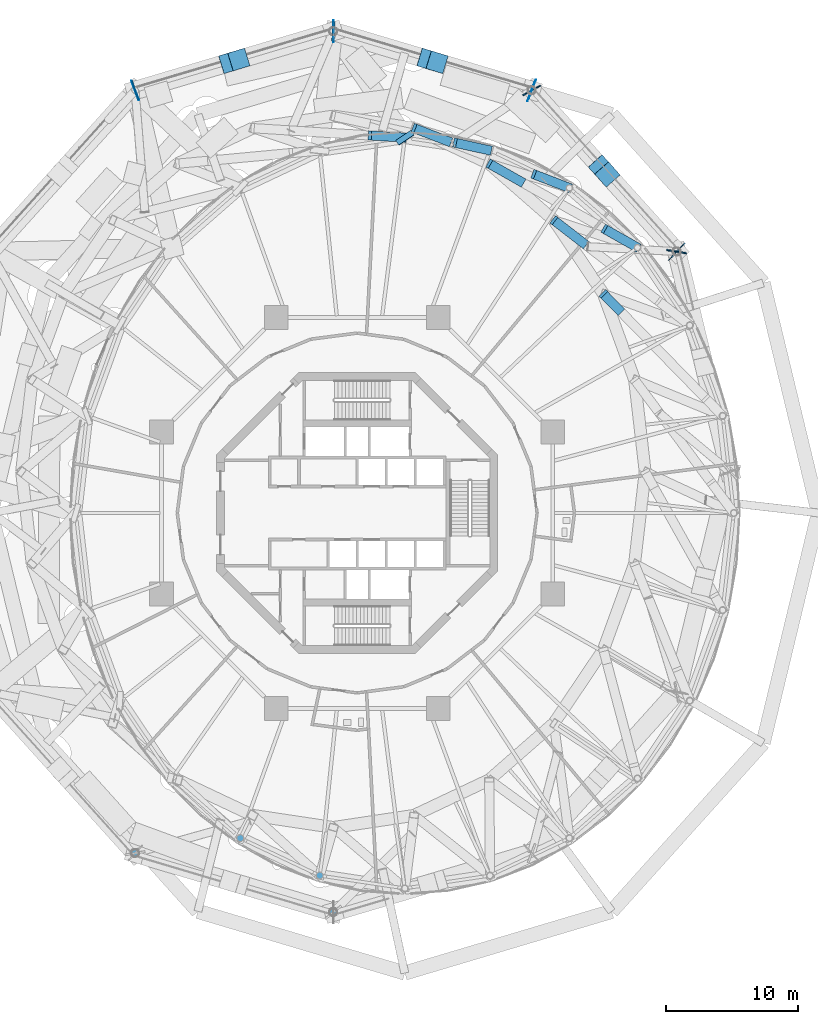
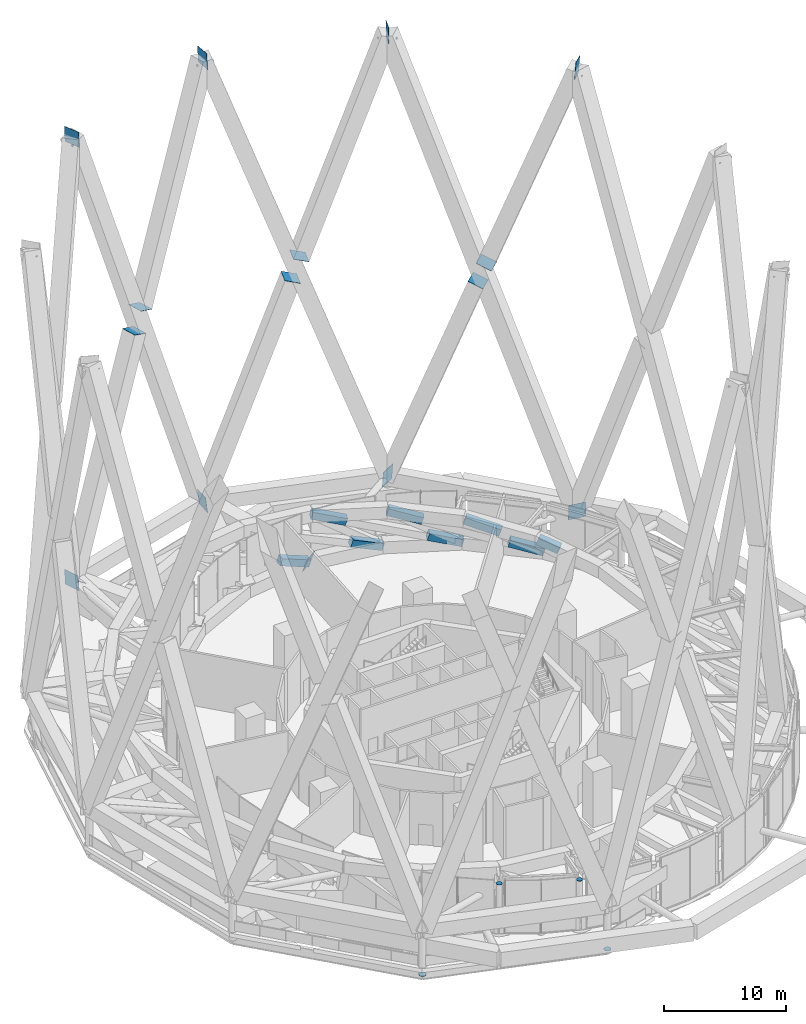
# One storey, part 53 of 60: 27 discrete accessories.
"""IFC4 building model written with IfcOpenShell, lengths in metres."""

from ifc_helpers import new_model, si_unit, direction, frame, origin, origin_2d, place, context, subcontext, project, spatial, rectangle, circle, extrude, material, layer, layer_set, type_object, element, save


model = new_model("IFC4")

# Units and contexts
model_context = context("Model", 3, precision=1e-05, world=origin(), true_north=direction((0.0, 1.0)))
body_context = subcontext(model_context, "Body", "Model", "MODEL_VIEW")
ifc_project = project(units=[si_unit("LENGTHUNIT", "METRE"), si_unit("AREAUNIT", "SQUARE_METRE"), si_unit("VOLUMEUNIT", "CUBIC_METRE"), si_unit("PLANEANGLEUNIT", "RADIAN"), si_unit("MASSUNIT", "GRAM", prefix="KILO")], contexts=[model_context])

# Site, building, storey
site_placement = place(None, origin())
site = spatial("IfcSite", under=ifc_project, at=site_placement, CompositionType="ELEMENT")
building_placement = place(site_placement, origin())
building = spatial("IfcBuilding", under=site, at=building_placement, Name="Nagisa Residences", CompositionType="ELEMENT")
storey_placement = place(building_placement, frame((0.0, 0.0, 206.60009765625)))
storey = spatial("IfcBuildingStorey", under=building, at=storey_placement, Name="L52", CompositionType="ELEMENT", Elevation=206.60009765625)

# Discrete accessories
ifc_material_1 = material(Name="Steel ASTM A572 Gr 50", Category="steel")
discrete_accessory_type_1 = type_object("IfcDiscreteAccessoryType", Name="Belt node casting BX 700x700x40", PredefinedType="BRACKET", material=ifc_material_1)
discrete_accessory_1_placement = place(storey_placement, frame((19.89697265625, 15.2490234375, 4.14990234375), z_axis=(-0.665672391146, 0.680726555826, 0.305764000266), x_axis=(-0.714968293238, -0.699156877721, 0.0)))
element("IfcDiscreteAccessory", 1, at=discrete_accessory_1_placement, inside=storey, type_object=discrete_accessory_type_1, Name="Belt node 4E02", PredefinedType="BRACKET", context=body_context, shape_type="SweptSolid", body=[
    extrude(rectangle(XDim=0.699951171875, YDim=0.699951171875, at=origin_2d()), origin(), (0.0, 0.0, 1.0), 1.929931640625),
])
discrete_accessory_2_placement = place(storey_placement, frame((17.224609375, 20.308837890625, 3.789794921875), z_axis=(-0.753781622056, 0.582719471156, 0.303728965011), x_axis=(-0.611613000693, -0.791157087678, 0.0)))
element("IfcDiscreteAccessory", 2, at=discrete_accessory_2_placement, inside=storey, type_object=discrete_accessory_type_1, Name="Belt node 4E03", PredefinedType="BRACKET", context=body_context, shape_type="SweptSolid", body=[
    extrude(rectangle(XDim=0.699951171875, YDim=0.699951171875, at=origin_2d()), origin(), (0.0, 0.0, 1.0), 3.12841796875),
])
for number, where, z_axis, x_axis, name in (
    (3, (21.189208984375, 20.064208984375, 0.599853515625), (-0.828510790978, 0.468875377418, 0.306146614688), (-0.49252423644, -0.870298728322, 0.0), "Belt node 4E04"),
    (4, (12.48828125, 24.98828125, 3.81494140625), (-0.828485452367, 0.468906766808, 0.306167110018), (-0.492560619392, -0.870278137278, 0.0), "Belt node 4E04"),
):
    element("IfcDiscreteAccessory", number, at=place(storey_placement, frame(where, z_axis=z_axis, x_axis=x_axis)), inside=storey, type_object=discrete_accessory_type_1, Name=name, PredefinedType="BRACKET", context=body_context, shape_type="SweptSolid", body=[
        extrude(rectangle(XDim=0.699951171875, YDim=0.699951171875, at=origin_2d()), origin(), (0.0, 0.0, 1.0), 3.021484375),
    ])
for number, where, z_axis, x_axis, name in (
    (5, (16.03759765625, 24.573486328125, 0.599853515625), (-0.886473601903, 0.341186268463, 0.312660332216), (-0.359194484226, -0.933262729622, 0.0), "Belt node 4E05"),
    (6, (6.99365234375, 28.0546875, 3.789794921875), (-0.886427024811, 0.341248692383, 0.312724254946), (-0.359268162207, -0.933234369076, 0.0), "Belt node 4E05"),
):
    element("IfcDiscreteAccessory", number, at=place(storey_placement, frame(where, z_axis=z_axis, x_axis=x_axis)), inside=storey, type_object=discrete_accessory_type_1, Name=name, PredefinedType="BRACKET", context=body_context, shape_type="SweptSolid", body=[
        extrude(rectangle(XDim=0.699951171875, YDim=0.699951171875, at=origin_2d()), origin(), (0.0, 0.0, 1.0), 3.038330078125),
    ])
discrete_accessory_3_placement = place(storey_placement, frame((10.0380859375, 27.408203125, 0.599853515625), z_axis=(-0.924290638038, 0.20296173416, 0.323254313045), x_axis=(-0.214476521575, -0.976729144489, 0.0)))
element("IfcDiscreteAccessory", 7, at=discrete_accessory_3_placement, inside=storey, type_object=discrete_accessory_type_1, Name="Belt node 4E06", PredefinedType="BRACKET", context=body_context, shape_type="SweptSolid", body=[
    extrude(rectangle(XDim=0.699951171875, YDim=0.699951171875, at=origin_2d()), origin(), (0.0, 0.0, 1.0), 2.861572265625),
])
discrete_accessory_4_placement = place(storey_placement, frame((3.60009765625, 28.375, 0.599853515625), z_axis=(-0.939293895087, 0.058477779037, 0.33809366751), x_axis=(-0.062136865896, -0.998067637937, 0.0)))
element("IfcDiscreteAccessory", 8, at=discrete_accessory_4_placement, inside=storey, type_object=discrete_accessory_type_1, Name="Belt node 4E07", PredefinedType="BRACKET", context=body_context, shape_type="SweptSolid", body=[
    extrude(rectangle(XDim=0.699951171875, YDim=0.699951171875, at=origin_2d()), origin(), (0.0, 0.0, 1.0), 2.809814453125),
])
ifc_material_2 = material(Name="Steel ASTM A572 Gr 50", Category="steel")
ifc_layer_1 = layer(ifc_material_2, 0.030029296875)
ifc_layer_set_1 = layer_set([ifc_layer_1], Name="End plate")
discrete_accessory_type_2 = type_object("IfcDiscreteAccessoryType", Name="End plate", PredefinedType="ANCHORPLATE", material=ifc_layer_set_1)
for number, where, z_axis, x_axis, name in (
    (9, (-16.784912109375, -25.71240234375, -0.89013671875), (0.0, 0.0, -1.0), (1.0, 0.0, 0.0), "End plate DH408"),
    (10, (-1.800048828125, -30.17236328125, -0.89013671875), (0.0, 0.0, -1.0), (1.0, 0.0, 0.0), "End plate DH409"),
):
    element("IfcDiscreteAccessory", number, at=place(storey_placement, frame(where, z_axis=z_axis, x_axis=x_axis)), inside=storey, type_object=discrete_accessory_type_2, Name=name, PredefinedType="ANCHORPLATE", context=body_context, shape_type="SweptSolid", body=[
        extrude(circle(Radius=0.304931640625, at=origin_2d()), origin(), (0.0, 0.0, 1.0), 0.030029296875),
    ])
for number, where, z_axis, x_axis, name in (
    (11, (-8.83740234375, -24.573486328125, 4.73681640625), (0.0, 0.0, 1.0), (1.0, 0.0, 0.0), "End plate GP417"),
    (12, (-2.838134765625, -27.408203125, 4.73681640625), (0.0, 0.0, 1.0), (1.0, 0.0, 0.0), "End plate GP418"),
):
    element("IfcDiscreteAccessory", number, at=place(storey_placement, frame(where, z_axis=z_axis, x_axis=x_axis)), inside=storey, type_object=discrete_accessory_type_2, Name=name, PredefinedType="ANCHORPLATE", context=body_context, shape_type="SweptSolid", body=[
        extrude(circle(Radius=0.25390625, at=origin_2d()), origin(), (0.0, 0.0, 1.0), 0.030029296875),
    ])
ifc_material_3 = material(Name="Steel ASTM A572 Gr 50", Category="steel")
ifc_layer_2 = layer(ifc_material_3, 0.030029296875)
ifc_layer_set_2 = layer_set([ifc_layer_2], Name="Node plate")
discrete_accessory_type_3 = type_object("IfcDiscreteAccessoryType", Name="Node plate", PredefinedType="ANCHORPLATE", material=ifc_layer_set_2)
for number, where, z_axis, x_axis, name in (
    (13, (24.15234375, 19.748046875, 3.698974609375), (0.164044678731, 0.984268072387, 0.065617871492), (-0.986447696972, 0.163896733333, 0.007668242434), "Node plate ST5B02"),
    (14, (13.192138671875, 31.9345703125, 3.698974609375), (-0.482070550323, 0.874263540416, 0.057194811055), (-0.875538262228, -0.483119781433, 0.005294163134), "Node plate ST5B03"),
):
    element("IfcDiscreteAccessory", number, at=place(storey_placement, frame(where, z_axis=z_axis, x_axis=x_axis)), inside=storey, type_object=discrete_accessory_type_3, Name=name, PredefinedType="ANCHORPLATE", context=body_context, shape_type="SweptSolid", body=[
        extrude(rectangle(XDim=1.52001953125, YDim=1.52001953125, at=origin_2d()), origin(), (0.0, 0.0, 1.0), 0.02978515625),
    ])
for number, where, z_axis, x_axis, name in (
    (15, (-1.81494140625, 36.408447265625, 3.6982421875), (0.993183741275, -0.04884510203, 0.105831054398), (-0.053290936568, -0.997793731748, 0.039594759291), "Node plate ST5B04"),
    (16, (-16.770751953125, 31.952392578125, 3.70068359375), (-0.946725874846, -0.318295768267, -0.048968579733), (0.318052835242, -0.947985442527, 0.012883895081), "Node plate ST5B05"),
):
    element("IfcDiscreteAccessory", number, at=place(storey_placement, frame(where, z_axis=z_axis, x_axis=x_axis)), inside=storey, type_object=discrete_accessory_type_3, Name=name, PredefinedType="ANCHORPLATE", context=body_context, shape_type="SweptSolid", body=[
        extrude(rectangle(XDim=1.52001953125, YDim=1.52001953125, at=origin_2d()), origin(), (0.0, 0.0, 1.0), 0.030029296875),
    ])
discrete_accessory_5_placement = place(storey_placement, frame((3.60009765625, 28.375, 0.599853515625), z_axis=(0.530669713285, -0.79192249521, -0.302073529101), x_axis=(0.830730373173, 0.556674992332, 0.0)))
element("IfcDiscreteAccessory", 17, at=discrete_accessory_5_placement, inside=storey, type_object=discrete_accessory_type_3, Name="Node plate OB502", PredefinedType="ANCHORPLATE", context=body_context, shape_type="SweptSolid", body=[
    extrude(rectangle(XDim=1.39990234375, YDim=1.39990234375, at=origin_2d()), origin(), (0.0, 0.0, 1.0), 0.02978515625),
])
for number, where, z_axis, x_axis, name in (
    (18, (24.165771484375, 19.75244140625, 48.199462890625), (-0.730838305701, 0.682115751988, 0.024361276857), (-0.15860723766, -0.13500532068, -0.97806815077), "Node plate CD5001"),
    (19, (13.198974609375, 31.9423828125, 48.19970703125), (-0.933848946174, 0.357298727232, 0.016240851238), (-0.074465848306, -0.149812732007, -0.985906173408), "Node plate CD5003"),
):
    element("IfcDiscreteAccessory", number, at=place(storey_placement, frame(where, z_axis=z_axis, x_axis=x_axis)), inside=storey, type_object=discrete_accessory_type_3, Name=name, PredefinedType="ANCHORPLATE", context=body_context, shape_type="SweptSolid", body=[
        extrude(rectangle(XDim=1.52001953125, YDim=1.52001953125, at=origin_2d()), origin(), (0.0, 0.0, 1.0), 0.030029296875),
    ])
discrete_accessory_6_placement = place(storey_placement, frame((18.425048828125, 26.127197265625, 24.956298828125), z_axis=(0.228848005204, -0.253367434332, 0.939911449943), x_axis=(0.742102642751, 0.670286257969, 0.0)))
element("IfcDiscreteAccessory", 20, at=discrete_accessory_6_placement, inside=storey, type_object=discrete_accessory_type_3, Name="Node plate CD5004A", PredefinedType="ANCHORPLATE", context=body_context, shape_type="SweptSolid", body=[
    extrude(rectangle(XDim=1.39990234375, YDim=1.39990234375, at=origin_2d()), origin(), (0.0, 0.0, 1.0), 0.02978515625),
])
discrete_accessory_7_placement = place(storey_placement, frame((18.914794921875, 25.5830078125, 26.943603515625), z_axis=(-0.226633367883, 0.259009563295, -0.938909666945), x_axis=(-0.752576694707, -0.658504607869, 0.0)))
element("IfcDiscreteAccessory", 21, at=discrete_accessory_7_placement, inside=storey, type_object=discrete_accessory_type_3, Name="Node plate CD5004B", PredefinedType="ANCHORPLATE", context=body_context, shape_type="SweptSolid", body=[
    extrude(rectangle(XDim=1.39990234375, YDim=1.39990234375, at=origin_2d()), origin(), (0.0, 0.0, 1.0), 0.0302734375),
])
discrete_accessory_8_placement = place(storey_placement, frame((-1.784912109375, 36.40771484375, 48.199951171875), z_axis=(-1.0, 0.0, 0.0), x_axis=(0.0, -0.099725418335, -0.995014995333)))
element("IfcDiscreteAccessory", 22, at=discrete_accessory_8_placement, inside=storey, type_object=discrete_accessory_type_3, Name="Node plate CD5005", PredefinedType="ANCHORPLATE", context=body_context, shape_type="SweptSolid", body=[
    extrude(rectangle(XDim=1.52001953125, YDim=1.52001953125, at=origin_2d()), origin(), (0.0, 0.0, 1.0), 0.030029296875),
])
for number, where, z_axis, x_axis, name in (
    (23, (5.34326171875, 34.28173828125, 24.912841796875), (0.317157035884, -0.097586780272, 0.943338875964), (0.294085848838, 0.955779008722, 0.0), "Node plate CD5006A"),
    (24, (6.041748046875, 34.07373046875, 26.98681640625), (-0.317157035884, 0.097586780272, -0.943338875964), (-0.294085848838, -0.955779008722, 0.0), "Node plate CD5006B"),
):
    element("IfcDiscreteAccessory", number, at=place(storey_placement, frame(where, z_axis=z_axis, x_axis=x_axis)), inside=storey, type_object=discrete_accessory_type_3, Name=name, PredefinedType="ANCHORPLATE", context=body_context, shape_type="SweptSolid", body=[
        extrude(rectangle(XDim=1.39990234375, YDim=1.39990234375, at=origin_2d()), origin(), (0.0, 0.0, 1.0), 0.030029296875),
    ])
discrete_accessory_9_placement = place(storey_placement, frame((-16.77099609375, 31.953125, 48.2001953125), z_axis=(-0.933848946174, -0.357298727232, -0.016240851238), x_axis=(0.024509921593, -0.018627020682, -0.999526036601)))
element("IfcDiscreteAccessory", 25, at=discrete_accessory_9_placement, inside=storey, type_object=discrete_accessory_type_3, Name="Node plate CD5007", PredefinedType="ANCHORPLATE", context=body_context, shape_type="SweptSolid", body=[
    extrude(rectangle(XDim=1.52001953125, YDim=1.52001953125, at=origin_2d()), origin(), (0.0, 0.0, 1.0), 0.030029296875),
])
for number, where, z_axis, x_axis, name in (
    (26, (-9.6416015625, 34.07373046875, 24.912841796875), (0.317157035884, 0.097586780272, 0.943338875964), (-0.294085848838, 0.955779008722, 0.0), "Node plate CD5008A"),
    (27, (-8.943359375, 34.28173828125, 26.98681640625), (-0.317157035884, -0.097586780272, -0.943338875964), (0.294085848838, -0.955779008722, 0.0), "Node plate CD5008B"),
):
    element("IfcDiscreteAccessory", number, at=place(storey_placement, frame(where, z_axis=z_axis, x_axis=x_axis)), inside=storey, type_object=discrete_accessory_type_3, Name=name, PredefinedType="ANCHORPLATE", context=body_context, shape_type="SweptSolid", body=[
        extrude(rectangle(XDim=1.39990234375, YDim=1.39990234375, at=origin_2d()), origin(), (0.0, 0.0, 1.0), 0.030029296875),
    ])

save(model, "model.ifc")
